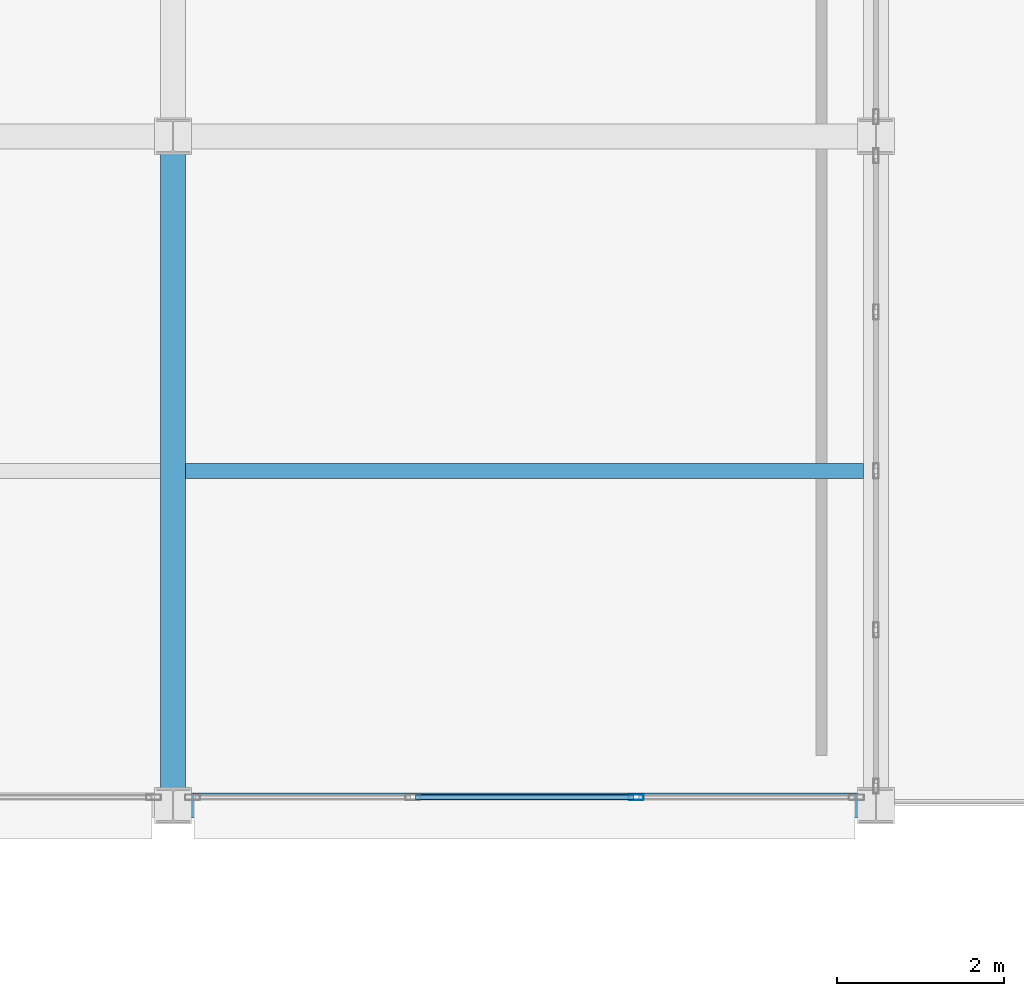
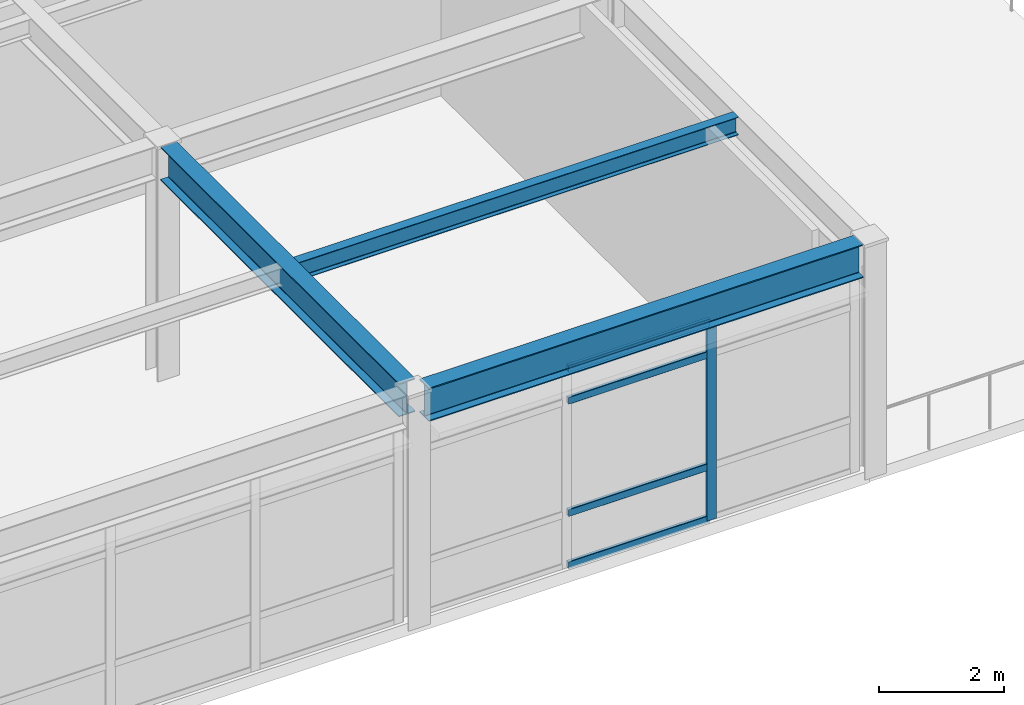
# One storey, part 23 of 93: 5 members, 3 beams, 1 element without a shape of its own.
"""IFC4 building model written with IfcOpenShell, lengths in metres."""

from ifc_helpers import new_model, si_unit, direction, frame, origin, origin_2d, place, context, subcontext, project, spatial, hollow_rectangle, i_section, extrude, material, layer, layer_set, material_profile, profile_set, type_object, element, aggregate, save


model = new_model("IFC4")

# Units and contexts
model_context = context("Model", 3, precision=1e-05, world=origin(), true_north=direction((0.0, 1.0)))
body_context = subcontext(model_context, "Body", "Model", "MODEL_VIEW")
ifc_project = project(units=[si_unit("LENGTHUNIT", "METRE"), si_unit("AREAUNIT", "SQUARE_METRE"), si_unit("VOLUMEUNIT", "CUBIC_METRE"), si_unit("PLANEANGLEUNIT", "RADIAN"), si_unit("MASSUNIT", "GRAM", prefix="KILO")], contexts=[model_context])

# Site, building, storey
site_placement = place(None, origin())
site = spatial("IfcSite", under=ifc_project, at=site_placement, CompositionType="ELEMENT")
building_placement = place(site_placement, origin())
building = spatial("IfcBuilding", under=site, at=building_placement, Name="Kazehara Bluff Congress Hotel", CompositionType="ELEMENT")
storey_placement = place(building_placement, frame((0.0, 0.0, 15.0)))
storey = spatial("IfcBuildingStorey", under=building, at=storey_placement, Name="L03", CompositionType="ELEMENT", Elevation=15.0)

# Curtain wall, members
ifc_material_1 = material(Name="Anodised aluminium", Category="aluminium")
ifc_layer = layer(ifc_material_1, 0.159912109375)
ifc_layer_set = layer_set([ifc_layer], Name="Anodised aluminium")
curtain_wall_type = type_object("IfcCurtainWallType", Name="TP-CW-143", PredefinedType="NOTDEFINED", material=ifc_layer_set)
curtain_wall_placement = place(storey_placement, origin())
curtain_wall = element("IfcCurtainWall", 1, at=curtain_wall_placement, inside=storey, type_object=curtain_wall_type, Name="L03 curtain wall CW-143 CW-ENC-V4-L03-9705-1610", PredefinedType="NOTDEFINED")
ifc_material_2 = material(Name="Anodised aluminium", Category="aluminium")
ifc_material_profile_1 = material_profile(ifc_material_2, hollow_rectangle(XDim=0.06494140625, YDim=0.179931640625, WallThickness=0.00390625, InnerFilletRadius=0.00390625, OuterFilletRadius=0.008056640625, at=origin_2d()))
ifc_profile_set_1 = profile_set([ifc_material_profile_1], Name="Anodised aluminium")
member_type_1 = type_object("IfcMemberType", Name="TP-CWM-02", PredefinedType="MULLION", material=ifc_profile_set_1)
member_1_placement = place(storey_placement, frame((98.38330078125, 16.10009765625, 0.0), z_axis=(0.0, 0.0, 1.0), x_axis=(0.0, -1.0, 0.0)))
member_1 = element("IfcMember", 2, at=member_1_placement, type_object=member_type_1, Name="CW-143 mullion 2", PredefinedType="MULLION", context=body_context, shape_type="SweptSolid", body=[
    extrude(hollow_rectangle(XDim=0.06494140625, YDim=0.179931640625, WallThickness=0.00390625, InnerFilletRadius=0.00390625, OuterFilletRadius=0.008056640625, at=origin_2d()), origin(), (0.0, 0.0, 1.0), 3.885009765625),
])
ifc_material_3 = material(Name="Anodised aluminium", Category="aluminium")
ifc_material_profile_2 = material_profile(ifc_material_3, hollow_rectangle(XDim=0.06494140625, YDim=0.139892578125, WallThickness=0.00390625, InnerFilletRadius=0.00390625, OuterFilletRadius=0.008056640625, at=origin_2d()))
ifc_profile_set_2 = profile_set([ifc_material_profile_2], Name="Anodised aluminium")
member_type_2 = type_object("IfcMemberType", Name="TP-CWT-02", PredefinedType="USERDEFINED", material=ifc_profile_set_2)
member_2_placement = place(storey_placement, frame((98.350830078125, 16.10009765625, 0.032470703125), z_axis=(-1.0, 0.0, 0.0), x_axis=(0.0, -1.0, 0.0)))
member_2 = element("IfcMember", 3, at=member_2_placement, type_object=member_type_2, Name="CW-143 transom 2.1", ObjectType="TRANSOM", PredefinedType="USERDEFINED", context=body_context, shape_type="SweptSolid", body=[
    extrude(hollow_rectangle(XDim=0.06494140625, YDim=0.139892578125, WallThickness=0.00390625, InnerFilletRadius=0.00390625, OuterFilletRadius=0.008056640625, at=origin_2d()), origin(), (0.0, 0.0, 1.0), 2.6015625),
])
member_3_placement = place(storey_placement, frame((98.350830078125, 16.10009765625, 1.050048828125), z_axis=(-1.0, 0.0, 0.0), x_axis=(0.0, -1.0, 0.0)))
member_3 = element("IfcMember", 4, at=member_3_placement, type_object=member_type_2, Name="CW-143 transom 2.2", ObjectType="TRANSOM", PredefinedType="USERDEFINED", context=body_context, shape_type="SweptSolid", body=[
    extrude(hollow_rectangle(XDim=0.06494140625, YDim=0.139892578125, WallThickness=0.00390625, InnerFilletRadius=0.00390625, OuterFilletRadius=0.008056640625, at=origin_2d()), origin(), (0.0, 0.0, 1.0), 2.6015625),
])
member_4_placement = place(storey_placement, frame((98.350830078125, 16.10009765625, 3.235107421875), z_axis=(-1.0, 0.0, 0.0), x_axis=(0.0, -1.0, 0.0)))
member_4 = element("IfcMember", 5, at=member_4_placement, type_object=member_type_2, Name="CW-143 transom 2.3", ObjectType="TRANSOM", PredefinedType="USERDEFINED", context=body_context, shape_type="SweptSolid", body=[
    extrude(hollow_rectangle(XDim=0.06494140625, YDim=0.139892578125, WallThickness=0.00390625, InnerFilletRadius=0.00390625, OuterFilletRadius=0.008056640625, at=origin_2d()), origin(), (0.0, 0.0, 1.0), 2.6015625),
])
member_5_placement = place(storey_placement, frame((98.350830078125, 16.10009765625, 3.8525390625), z_axis=(-1.0, 0.0, 0.0), x_axis=(0.0, -1.0, 0.0)))
member_5 = element("IfcMember", 6, at=member_5_placement, type_object=member_type_2, Name="CW-143 transom 2.4", ObjectType="TRANSOM", PredefinedType="USERDEFINED", context=body_context, shape_type="SweptSolid", body=[
    extrude(hollow_rectangle(XDim=0.06494140625, YDim=0.139892578125, WallThickness=0.00390625, InnerFilletRadius=0.00390625, OuterFilletRadius=0.008056640625, at=origin_2d()), origin(), (0.0, 0.0, 1.0), 2.6015625),
])
aggregate(curtain_wall, [member_1, member_2, member_3, member_4, member_5])

# Beams
ifc_material_4 = material(Name="Steel SN490B", Category="steel")
ifc_material_profile_3 = material_profile(ifc_material_4, i_section(OverallWidth=0.300048828125, OverallDepth=0.64990234375, WebThickness=0.011962890625, FlangeThickness=0.02001953125, FilletRadius=0.012939453125, at=origin_2d()))
ifc_profile_set_3 = profile_set([ifc_material_profile_3], Name="Steel SN490B")
beam_type_1 = type_object("IfcBeamType", Name="TP-G-03", PredefinedType="BEAM", material=ifc_profile_set_3)
beam_1_placement = place(storey_placement, frame((92.85009765625, 16.199951171875, 4.235107421875), z_axis=(0.0, 1.0, 0.0), x_axis=(-1.0, 0.0, 0.0)))
element("IfcBeam", 7, at=beam_1_placement, inside=storey, type_object=beam_type_1, Name="L03 girder G-03 61", PredefinedType="BEAM", context=body_context, shape_type="SweptSolid", body=[
    extrude(i_section(OverallWidth=0.300048828125, OverallDepth=0.64990234375, WebThickness=0.011962890625, FlangeThickness=0.02001953125, FilletRadius=0.012939453125, at=origin_2d()), origin(), (0.0, 0.0, 1.0), 7.60009765625),
])
beam_2_placement = place(storey_placement, frame((93.050048828125, 16.0, 4.235107421875), z_axis=(1.0, 0.0, 0.0), x_axis=(0.0, 1.0, 0.0)))
element("IfcBeam", 8, at=beam_2_placement, inside=storey, type_object=beam_type_1, Name="L03 girder G-03 77", PredefinedType="BEAM", context=body_context, shape_type="SweptSolid", body=[
    extrude(i_section(OverallWidth=0.300048828125, OverallDepth=0.64990234375, WebThickness=0.011962890625, FlangeThickness=0.02001953125, FilletRadius=0.012939453125, at=origin_2d()), origin(), (0.0, 0.0, 1.0), 8.0),
])
ifc_material_5 = material(Name="Steel SN400B", Category="steel")
ifc_material_profile_4 = material_profile(ifc_material_5, i_section(OverallWidth=0.175048828125, OverallDepth=0.35009765625, WebThickness=0.007080078125, FlangeThickness=0.010986328125, FilletRadius=0.012939453125, at=origin_2d()))
ifc_profile_set_4 = profile_set([ifc_material_profile_4], Name="Steel SN400B")
beam_type_2 = type_object("IfcBeamType", Name="TP-J-02", PredefinedType="JOIST", material=ifc_profile_set_4)
beam_3_placement = place(storey_placement, frame((93.0, 20.0, 4.385009765625), z_axis=(1.0, 0.0, 0.0), x_axis=(0.0, 1.0, 0.0)))
element("IfcBeam", 9, at=beam_3_placement, inside=storey, type_object=beam_type_2, Name="L03 secondary joist J-02 17", PredefinedType="JOIST", context=body_context, shape_type="SweptSolid", body=[
    extrude(i_section(OverallWidth=0.175048828125, OverallDepth=0.35009765625, WebThickness=0.007080078125, FlangeThickness=0.010986328125, FilletRadius=0.012939453125, at=origin_2d()), origin(), (0.0, 0.0, 1.0), 8.10009765625),
])

save(model, "model.ifc")
